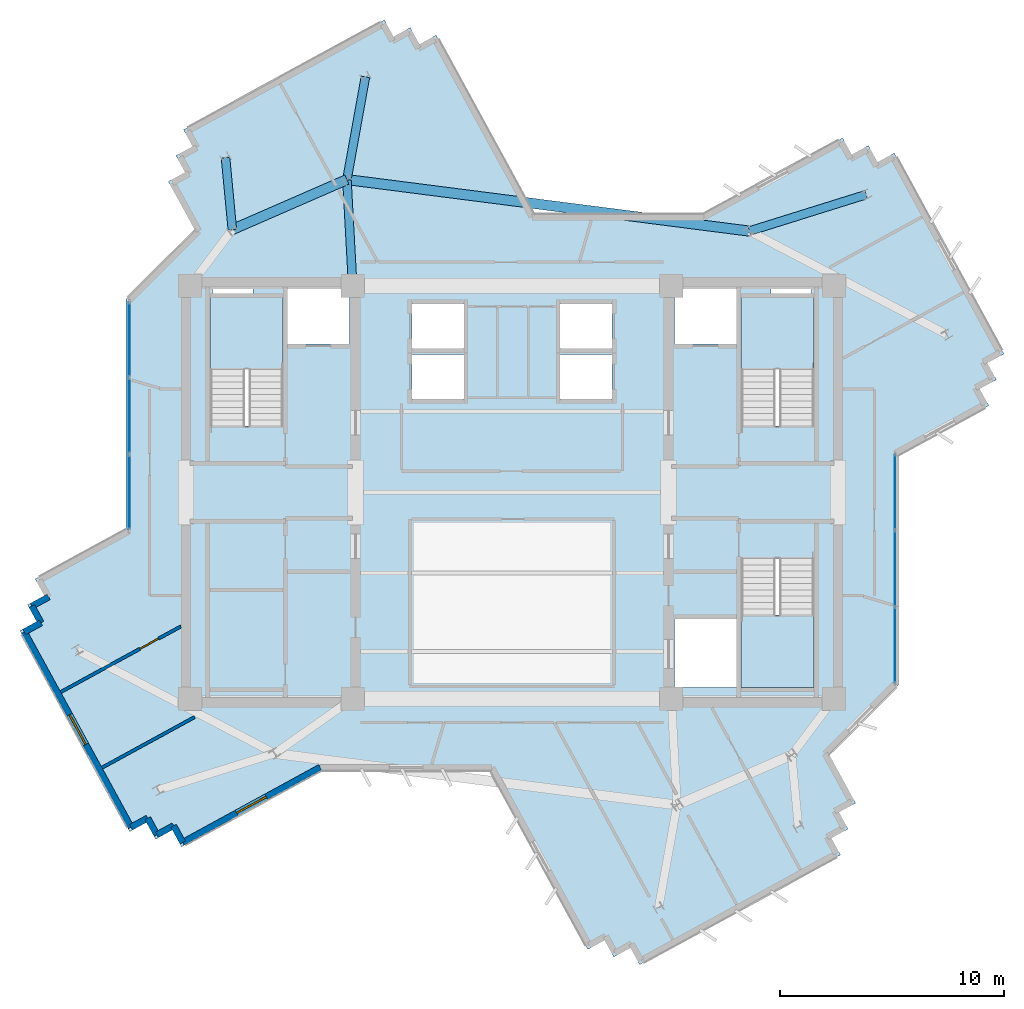
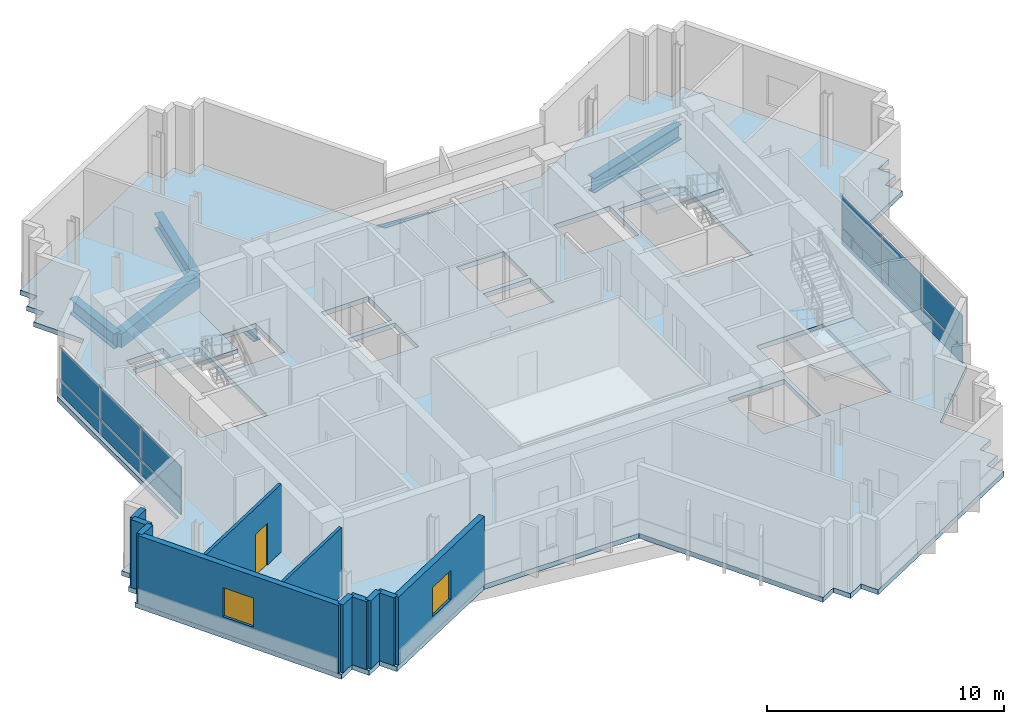
# One storey, part 4 of 13: 12 plates, 11 walls, 6 beams, 4 slabs, 2 windows, 1 door, 3 openings, 5 elements without a shape of their own.
"""IFC4 building model written with IfcOpenShell, lengths in metres."""

from ifc_helpers import new_model, si_unit, direction, frame, frame_2d, origin, origin_2d, place, context, subcontext, project, spatial, polyline, rectangle, i_section, outline, extrude, source, transform, mapped, material, layer, layer_set, material_profile, profile_set, type_object, element, fill, aggregate, save


model = new_model("IFC4")

# Units and contexts
model_context = context("Model", 3, precision=1e-05, world=origin(), true_north=direction((0.0, 1.0)))
body_context = subcontext(model_context, "Body", "Model", "MODEL_VIEW")
ifc_project = project(units=[si_unit("LENGTHUNIT", "METRE"), si_unit("AREAUNIT", "SQUARE_METRE"), si_unit("VOLUMEUNIT", "CUBIC_METRE"), si_unit("PLANEANGLEUNIT", "RADIAN"), si_unit("MASSUNIT", "GRAM", prefix="KILO")], contexts=[model_context])

# Site, building, storey
site_placement = place(None, origin())
site = spatial("IfcSite", under=ifc_project, at=site_placement, CompositionType="ELEMENT")
building_placement = place(site_placement, origin())
building = spatial("IfcBuilding", under=site, at=building_placement, Name="Zahravan Cultural Tower", CompositionType="ELEMENT")
storey_placement = place(building_placement, frame((0.0, 0.0, 250.35009765625)))
storey = spatial("IfcBuildingStorey", under=building, at=storey_placement, Name="L59", CompositionType="ELEMENT", Elevation=250.35009765625)

# Beams
ifc_material_1 = material(Name="Concrete C45/55", Category="concrete")
ifc_material_profile_1 = material_profile(ifc_material_1, rectangle(XDim=0.449951171875, YDim=0.719970703125, at=origin_2d()), Name="RC450X720")
ifc_profile_set_1 = profile_set([ifc_material_profile_1], Name="Concrete C45/55")
beam_type_1 = type_object("IfcBeamType", Name="BM-SP-RC450X720", PredefinedType="SPANDREL", material=ifc_profile_set_1)
shared_shape_1 = source(origin(), body_context, "Body", "SweptSolid", [
    extrude(rectangle(XDim=0.449951171875, YDim=0.719970703125, at=origin_2d()), origin(), (0.0, 0.0, 1.0), 18.081787109375),
])
beam_1_placement = place(storey_placement, frame((46.577880859375, 38.640625, -0.610107421875), z_axis=(-0.991900954377, 0.127013765812, 0.0), x_axis=(-0.127013765812, -0.991900954377, 0.0)))
element("IfcBeam", 1, at=beam_1_placement, inside=storey, type_object=beam_type_1, Name="L59 Beam SP-L59-22", PredefinedType="SPANDREL", context=body_context, shape_type="MappedRepresentation", body=[
    mapped(shared_shape_1, transform((0.0, 0.0, 0.0), x_axis=(1.0, 0.0, 0.0), y_axis=(0.0, 1.0, 0.0), z_axis=(0.0, 0.0, 1.0), scale=1.0)),
])
shared_shape_2 = source(origin(), body_context, "Body", "SweptSolid", [
    extrude(rectangle(XDim=0.449951171875, YDim=0.719970703125, at=origin_2d()), origin(), (0.0, 0.0, 1.0), 5.570556640625),
])
beam_2_placement = place(storey_placement, frame((28.642578125, 40.937255859375, -0.610107421875), z_axis=(-0.9166445026, -0.399703459896, 0.0), x_axis=(0.399703459896, -0.9166445026, 0.0)))
element("IfcBeam", 2, at=beam_2_placement, inside=storey, type_object=beam_type_1, Name="L59 Beam SP-L59-23", PredefinedType="SPANDREL", context=body_context, shape_type="MappedRepresentation", body=[
    mapped(shared_shape_2, transform((0.0, 0.0, 0.0), x_axis=(1.0, 0.0, 0.0), y_axis=(0.0, 1.0, 0.0), z_axis=(0.0, 0.0, 1.0), scale=1.0)),
])
ifc_material_2 = material(Name="Steel ASTM A992 Grade 50", Category="steel")
ifc_material_profile_2 = material_profile(ifc_material_2, i_section(OverallWidth=0.382080078125, OverallDepth=0.779052734375, WebThickness=0.01806640625, FlangeThickness=0.030029296875, FilletRadius=0.01904296875, at=origin_2d()), Name="W30X191")
ifc_profile_set_2 = profile_set([ifc_material_profile_2], Name="Steel ASTM A992 Grade 50")
beam_type_2 = type_object("IfcBeamType", Name="BM-G-W30X191", PredefinedType="BEAM", material=ifc_profile_set_2)
shared_shape_3 = source(origin(), body_context, "Body", "SweptSolid", [
    extrude(i_section(OverallWidth=0.382080078125, OverallDepth=0.779052734375, WebThickness=0.01806640625, FlangeThickness=0.030029296875, FilletRadius=0.01904296875, at=origin_2d()), origin(), (0.0, 0.0, 1.0), 4.744384765625),
])
beam_3_placement = place(storey_placement, frame((28.89990234375, 36.199951171875, -0.6396484375), z_axis=(-0.054238739845, 0.998527996152, 0.0), x_axis=(-0.998527996152, -0.054238739845, 0.0)))
element("IfcBeam", 3, at=beam_3_placement, inside=storey, type_object=beam_type_2, Name="L59 Beam BG-L59-10", PredefinedType="BEAM", context=body_context, shape_type="MappedRepresentation", body=[
    mapped(shared_shape_3, transform((0.0, 0.0, 0.0), x_axis=(1.0, 0.0, 0.0), y_axis=(0.0, 1.0, 0.0), z_axis=(0.0, 0.0, 1.0), scale=1.0)),
])
shared_shape_4 = source(origin(), body_context, "Body", "SweptSolid", [
    extrude(i_section(OverallWidth=0.382080078125, OverallDepth=0.779052734375, WebThickness=0.01806640625, FlangeThickness=0.030029296875, FilletRadius=0.01904296875, at=origin_2d()), origin(), (0.0, 0.0, 1.0), 5.450927734375),
])
beam_4_placement = place(storey_placement, frame((46.577880859375, 38.640625, -0.6396484375), z_axis=(0.954416996605, 0.298476459025, 0.0), x_axis=(-0.298476459025, 0.954416996605, 0.0)))
element("IfcBeam", 4, at=beam_4_placement, inside=storey, type_object=beam_type_2, Name="L59 Beam BG-L59-13", PredefinedType="BEAM", context=body_context, shape_type="MappedRepresentation", body=[
    mapped(shared_shape_4, transform((0.0, 0.0, 0.0), x_axis=(1.0, 0.0, 0.0), y_axis=(0.0, 1.0, 0.0), z_axis=(0.0, 0.0, 1.0), scale=1.0)),
])
shared_shape_5 = source(origin(), body_context, "Body", "SweptSolid", [
    extrude(i_section(OverallWidth=0.382080078125, OverallDepth=0.779052734375, WebThickness=0.01806640625, FlangeThickness=0.030029296875, FilletRadius=0.01904296875, at=origin_2d()), origin(), (0.0, 0.0, 1.0), 4.65087890625),
])
beam_5_placement = place(storey_placement, frame((28.642578125, 40.937255859375, -0.6396484375), z_axis=(0.177425522697, 0.984134230629, 0.0), x_axis=(-0.984134230629, 0.177425522697, 0.0)))
element("IfcBeam", 5, at=beam_5_placement, inside=storey, type_object=beam_type_2, Name="L59 Beam BG-L59-14", PredefinedType="BEAM", context=body_context, shape_type="MappedRepresentation", body=[
    mapped(shared_shape_5, transform((0.0, 0.0, 0.0), x_axis=(1.0, 0.0, 0.0), y_axis=(0.0, 1.0, 0.0), z_axis=(0.0, 0.0, 1.0), scale=1.0)),
])
shared_shape_6 = source(origin(), body_context, "Body", "SweptSolid", [
    extrude(i_section(OverallWidth=0.382080078125, OverallDepth=0.779052734375, WebThickness=0.01806640625, FlangeThickness=0.030029296875, FilletRadius=0.01904296875, at=origin_2d()), origin(), (0.0, 0.0, 1.0), 3.218017578125),
])
beam_6_placement = place(storey_placement, frame((23.536376953125, 38.710693359375, -0.6396484375), z_axis=(-0.094454641962, 0.995529166128, 0.0), x_axis=(-0.995529166128, -0.094454641962, 0.0)))
element("IfcBeam", 6, at=beam_6_placement, inside=storey, type_object=beam_type_2, Name="L59 Beam BG-L59-15", PredefinedType="BEAM", context=body_context, shape_type="MappedRepresentation", body=[
    mapped(shared_shape_6, transform((0.0, 0.0, 0.0), x_axis=(1.0, 0.0, 0.0), y_axis=(0.0, 1.0, 0.0), z_axis=(0.0, 0.0, 1.0), scale=1.0)),
])

# Stair, slab
stair_type = type_object("IfcStairType", Name="STR-DL-1550-375", PredefinedType="HALF_TURN_STAIR", material=ifc_material_1)
stair_1_placement = place(storey_placement, origin())
stair_1 = element("IfcStair", 7, at=stair_1_placement, inside=storey, type_object=stair_type, Name="L59 West Core North Exit Stair ST-W1", PredefinedType="HALF_TURN_STAIR")
ifc_layer_1 = layer(ifc_material_1, 0.199951171875)
ifc_layer_set_1 = layer_set([ifc_layer_1], Name="Concrete C45/55")
slab_type_1 = type_object("IfcSlabType", Name="SL-STAIR-LND200", PredefinedType="LANDING", material=ifc_layer_set_1)
slab_1_placement = place(storey_placement, frame((0.0, 0.0, 1.6748046875)))
slab_1 = element("IfcSlab", 8, at=slab_1_placement, type_object=slab_type_1, Name="ST-W1 landing 1", PredefinedType="LANDING", context=body_context, shape_type="SweptSolid", body=[
    extrude(outline(polyline([(25.800048828125, 32.469970703125), (25.800048828125, 35.699951171875), (22.550048828125, 35.699951171875), (22.550048828125, 32.469970703125), (25.800048828125, 32.469970703125)])), origin(), (0.0, 0.0, 1.0), 0.2001953125),
])
aggregate(stair_1, [slab_1])

stair_2_placement = place(storey_placement, origin())
stair_2 = element("IfcStair", 9, at=stair_2_placement, inside=storey, type_object=stair_type, Name="L59 East Core North Exit Stair ST-E1", PredefinedType="HALF_TURN_STAIR")
slab_2_placement = place(storey_placement, frame((0.0, 0.0, 1.6748046875)))
slab_2 = element("IfcSlab", 10, at=slab_2_placement, type_object=slab_type_1, Name="ST-E1 landing 1", PredefinedType="LANDING", context=body_context, shape_type="SweptSolid", body=[
    extrude(outline(polyline([(49.449951171875, 32.469970703125), (49.449951171875, 35.699951171875), (46.199951171875, 35.699951171875), (46.199951171875, 32.469970703125), (49.449951171875, 32.469970703125)])), origin(), (0.0, 0.0, 1.0), 0.2001953125),
])
aggregate(stair_2, [slab_2])

stair_3_placement = place(storey_placement, origin())
stair_3 = element("IfcStair", 11, at=stair_3_placement, inside=storey, type_object=stair_type, Name="L59 East Core South Exit Stair ST-E2", PredefinedType="HALF_TURN_STAIR")
slab_3_placement = place(storey_placement, frame((0.0, 0.0, 1.6748046875)))
slab_3 = element("IfcSlab", 12, at=slab_3_placement, type_object=slab_type_1, Name="ST-E2 landing 1", PredefinedType="LANDING", context=body_context, shape_type="SweptSolid", body=[
    extrude(outline(polyline([(46.199951171875, 21.530029296875), (46.199951171875, 18.300048828125), (49.449951171875, 18.300048828125), (49.449951171875, 21.530029296875), (46.199951171875, 21.530029296875)])), origin(), (0.0, 0.0, 1.0), 0.2001953125),
])
aggregate(stair_3, [slab_3])

# Slab
ifc_material_3 = material(Name="Concrete C40/50", Category="concrete")
ifc_layer_2 = layer(ifc_material_3, 0.25)
ifc_layer_set_2 = layer_set([ifc_layer_2], Name="Concrete C40/50")
slab_type_2 = type_object("IfcSlabType", Name="SL-TYP-250", PredefinedType="FLOOR", material=ifc_layer_set_2)
slab_4_placement = place(storey_placement, frame((0.0, 0.0, -0.25)))
element("IfcSlab", 13, at=slab_4_placement, inside=storey, type_object=slab_type_2, Name="L59 Structural Floor Slab", PredefinedType="FLOOR", context=body_context, shape_type="SweptSolid", body=[
    extrude(outline(polyline([(44.513427734375, 39.39990234375), (36.97412109375, 39.39990234375), (32.617919921875, 47.372802734375), (31.8720703125, 46.96533203125), (31.464599609375, 47.711181640625), (30.718505859375, 47.3037109375), (30.31103515625, 48.049560546875), (21.35986328125, 43.1591796875), (21.767578125, 42.4130859375), (21.021484375, 42.005615234375), (21.42919921875, 41.259765625), (20.68310546875, 40.852294921875), (21.87353515625, 38.673583984375), (18.800048828125, 35.60009765625), (18.800048828125, 25.3515625), (14.74951171875, 23.138671875), (15.156982421875, 22.392578125), (14.4111328125, 21.985107421875), (14.81884765625, 21.2392578125), (14.07275390625, 20.83154296875), (18.96337890625, 11.880615234375), (19.709228515625, 12.2880859375), (20.11669921875, 11.5419921875), (20.86279296875, 11.94970703125), (21.270263671875, 11.20361328125), (27.486572265625, 14.60009765625), (35.02587890625, 14.60009765625), (39.382080078125, 6.627197265625), (40.1279296875, 7.03466796875), (40.535400390625, 6.288818359375), (41.281494140625, 6.6962890625), (41.68896484375, 5.950439453125), (50.64013671875, 10.8408203125), (50.232421875, 11.5869140625), (50.978515625, 11.994384765625), (50.57080078125, 12.740234375), (51.31689453125, 13.147705078125), (50.12646484375, 15.326416015625), (53.199951171875, 18.39990234375), (53.199951171875, 28.6484375), (57.25048828125, 30.861328125), (56.843017578125, 31.607421875), (57.5888671875, 32.014892578125), (57.18115234375, 32.7607421875), (57.92724609375, 33.16845703125), (53.03662109375, 42.119384765625), (52.290771484375, 41.7119140625), (51.88330078125, 42.4580078125), (51.13720703125, 42.05029296875), (50.729736328125, 42.79638671875), (44.513427734375, 39.39990234375)]), holes=[polyline([(22.550048828125, 29.949951171875), (22.550048828125, 35.699951171875), (25.800048828125, 35.699951171875), (25.800048828125, 29.949951171875), (22.550048828125, 29.949951171875)]), polyline([(46.199951171875, 29.949951171875), (46.199951171875, 35.699951171875), (49.449951171875, 35.699951171875), (49.449951171875, 29.949951171875), (46.199951171875, 29.949951171875)]), polyline([(46.199951171875, 18.300048828125), (46.199951171875, 24.050048828125), (49.449951171875, 24.050048828125), (49.449951171875, 18.300048828125), (46.199951171875, 18.300048828125)]), polyline([(26.0, 33.60009765625), (26.0, 36.050048828125), (28.75, 36.050048828125), (28.75, 33.60009765625), (26.0, 33.60009765625)]), polyline([(43.25, 33.60009765625), (43.25, 36.050048828125), (46.0, 36.050048828125), (46.0, 33.60009765625), (43.25, 33.60009765625)]), polyline([(43.25, 18.300048828125), (43.25, 21.35009765625), (46.0, 21.35009765625), (46.0, 18.300048828125), (43.25, 18.300048828125)]), polyline([(31.550048828125, 33.39990234375), (31.550048828125, 35.39990234375), (33.85009765625, 35.39990234375), (33.85009765625, 33.39990234375), (31.550048828125, 33.39990234375)]), polyline([(31.550048828125, 31.14990234375), (31.550048828125, 33.14990234375), (33.85009765625, 33.14990234375), (33.85009765625, 31.14990234375), (31.550048828125, 31.14990234375)]), polyline([(38.14990234375, 33.39990234375), (38.14990234375, 35.39990234375), (40.449951171875, 35.39990234375), (40.449951171875, 33.39990234375), (38.14990234375, 33.39990234375)]), polyline([(38.14990234375, 31.14990234375), (38.14990234375, 33.14990234375), (40.449951171875, 33.14990234375), (40.449951171875, 31.14990234375), (38.14990234375, 31.14990234375)]), polyline([(22.64990234375, 35.800048828125), (22.64990234375, 36.419921875), (24.449951171875, 36.419921875), (24.449951171875, 35.800048828125), (22.64990234375, 35.800048828125)]), polyline([(47.550048828125, 35.800048828125), (47.550048828125, 36.419921875), (49.35009765625, 36.419921875), (49.35009765625, 35.800048828125), (47.550048828125, 35.800048828125)])]), origin(), (0.0, 0.0, 1.0), 0.25),
])

# Curtain wall, plates
ifc_material_4 = material(Name="Anodised bronze-aluminium mullion", Category="aluminium")
ifc_layer_3 = layer(ifc_material_4, 0.1650390625)
ifc_layer_set_3 = layer_set([ifc_layer_3], Name="Anodised bronze-aluminium mullion")
curtain_wall_type_1 = type_object("IfcCurtainWallType", Name="CW-SYS-4", PredefinedType="USERDEFINED", material=ifc_layer_set_3)
curtain_wall_1_placement = place(storey_placement, origin())
curtain_wall_1 = element("IfcCurtainWall", 14, at=curtain_wall_1_placement, inside=storey, type_object=curtain_wall_type_1, Name="L59 Recessed Curtain Wall CW-4.1", ObjectType="RECESSED GLAZING", PredefinedType="USERDEFINED")
ifc_material_5 = material(Name="Low-E solar-control double glazing", Category="glass")
ifc_layer_4 = layer(ifc_material_5, 0.02587890625)
ifc_layer_set_4 = layer_set([ifc_layer_4], Name="Low-E solar-control double glazing")
plate_type_1 = type_object("IfcPlateType", Name="CWP-CW-4", PredefinedType="CURTAIN_PANEL", material=ifc_layer_set_4)
shared_shape_7 = source(origin(), body_context, "Body", "SweptSolid", [
    extrude(rectangle(XDim=3.326904296875, YDim=0.02587890625, at=origin_2d()), origin(), (0.0, 0.0, 1.0), 0.802490234375),
])
plate_1_placement = place(storey_placement, frame((53.06005859375, 27.0029296875, 0.06494140625), z_axis=(0.0, 0.0, 1.0), x_axis=(0.0, -1.0, 0.0)))
plate_1 = element("IfcPlate", 15, at=plate_1_placement, type_object=plate_type_1, Name="CW-4 panel 1.1", PredefinedType="CURTAIN_PANEL", context=body_context, shape_type="MappedRepresentation", body=[
    mapped(shared_shape_7, transform((0.0, 0.0, 0.0), x_axis=(1.0, 0.0, 0.0), y_axis=(0.0, 1.0, 0.0), z_axis=(0.0, 0.0, 1.0), scale=1.0)),
])
plate_2_placement = place(storey_placement, frame((53.06005859375, 20.1865234375, 0.06494140625), z_axis=(0.0, 0.0, 1.0), x_axis=(0.0, -1.0, 0.0)))
plate_2 = element("IfcPlate", 16, at=plate_2_placement, type_object=plate_type_1, Name="CW-4 panel 3.1", PredefinedType="CURTAIN_PANEL", context=body_context, shape_type="MappedRepresentation", body=[
    mapped(shared_shape_7, transform((0.0, 0.0, 0.0), x_axis=(1.0, 0.0, 0.0), y_axis=(0.0, 1.0, 0.0), z_axis=(0.0, 0.0, 1.0), scale=1.0)),
])
shared_shape_8 = source(origin(), body_context, "Body", "SweptSolid", [
    extrude(rectangle(XDim=3.326904296875, YDim=0.02587890625, at=origin_2d()), origin(), (0.0, 0.0, 1.0), 1.62255859375),
])
plate_3_placement = place(storey_placement, frame((53.06005859375, 27.0029296875, 0.932373046875), z_axis=(0.0, 0.0, 1.0), x_axis=(0.0, -1.0, 0.0)))
plate_3 = element("IfcPlate", 17, at=plate_3_placement, type_object=plate_type_1, Name="CW-4 panel 1.2", PredefinedType="CURTAIN_PANEL", context=body_context, shape_type="MappedRepresentation", body=[
    mapped(shared_shape_8, transform((0.0, 0.0, 0.0), x_axis=(1.0, 0.0, 0.0), y_axis=(0.0, 1.0, 0.0), z_axis=(0.0, 0.0, 1.0), scale=1.0)),
])
plate_4_placement = place(storey_placement, frame((53.06005859375, 20.1865234375, 0.932373046875), z_axis=(0.0, 0.0, 1.0), x_axis=(0.0, -1.0, 0.0)))
plate_4 = element("IfcPlate", 18, at=plate_4_placement, type_object=plate_type_1, Name="CW-4 panel 3.2", PredefinedType="CURTAIN_PANEL", context=body_context, shape_type="MappedRepresentation", body=[
    mapped(shared_shape_8, transform((0.0, 0.0, 0.0), x_axis=(1.0, 0.0, 0.0), y_axis=(0.0, 1.0, 0.0), z_axis=(0.0, 0.0, 1.0), scale=1.0)),
])
shared_shape_9 = source(origin(), body_context, "Body", "SweptSolid", [
    extrude(rectangle(XDim=3.359619140625, YDim=0.02587890625, at=origin_2d()), origin(), (0.0, 0.0, 1.0), 0.802490234375),
])
plate_5_placement = place(storey_placement, frame((53.06005859375, 23.5947265625, 0.06494140625), z_axis=(0.0, 0.0, 1.0), x_axis=(0.0, -1.0, 0.0)))
plate_5 = element("IfcPlate", 19, at=plate_5_placement, type_object=plate_type_1, Name="CW-4 panel 2.1", PredefinedType="CURTAIN_PANEL", context=body_context, shape_type="MappedRepresentation", body=[
    mapped(shared_shape_9, transform((0.0, 0.0, 0.0), x_axis=(1.0, 0.0, 0.0), y_axis=(0.0, 1.0, 0.0), z_axis=(0.0, 0.0, 1.0), scale=1.0)),
])
shared_shape_10 = source(origin(), body_context, "Body", "SweptSolid", [
    extrude(rectangle(XDim=3.359619140625, YDim=0.02587890625, at=origin_2d()), origin(), (0.0, 0.0, 1.0), 1.62255859375),
])
plate_6_placement = place(storey_placement, frame((53.06005859375, 23.5947265625, 0.932373046875), z_axis=(0.0, 0.0, 1.0), x_axis=(0.0, -1.0, 0.0)))
plate_6 = element("IfcPlate", 20, at=plate_6_placement, type_object=plate_type_1, Name="CW-4 panel 2.2", PredefinedType="CURTAIN_PANEL", context=body_context, shape_type="MappedRepresentation", body=[
    mapped(shared_shape_10, transform((0.0, 0.0, 0.0), x_axis=(1.0, 0.0, 0.0), y_axis=(0.0, 1.0, 0.0), z_axis=(0.0, 0.0, 1.0), scale=1.0)),
])
aggregate(curtain_wall_1, [plate_1, plate_3, plate_5, plate_6, plate_2, plate_4])

ifc_layer_5 = layer(ifc_material_4, 0.219970703125)
ifc_layer_set_5 = layer_set([ifc_layer_5], Name="Anodised bronze-aluminium mullion")
curtain_wall_type_2 = type_object("IfcCurtainWallType", Name="CW-SYS-1", PredefinedType="USERDEFINED", material=ifc_layer_set_5)
curtain_wall_2_placement = place(storey_placement, origin())
curtain_wall_2 = element("IfcCurtainWall", 21, at=curtain_wall_2_placement, inside=storey, type_object=curtain_wall_type_2, Name="L59 Recessed Curtain Wall CW-1.2", ObjectType="RECESSED GLAZING", PredefinedType="USERDEFINED")
ifc_layer_6 = layer(ifc_material_5, 0.031982421875)
ifc_layer_set_6 = layer_set([ifc_layer_6], Name="Low-E solar-control double glazing")
plate_type_2 = type_object("IfcPlateType", Name="CWP-CW-1", PredefinedType="CURTAIN_PANEL", material=ifc_layer_set_6)
shared_shape_11 = source(origin(), body_context, "Body", "SweptSolid", [
    extrude(rectangle(XDim=3.304443359375, YDim=0.031982421875, at=origin_2d()), origin(), (0.0, 0.0, 1.0), 0.780029296875),
])
plate_7_placement = place(storey_placement, frame((18.93994140625, 27.000732421875, 0.080078125), z_axis=(0.0, 0.0, 1.0), x_axis=(0.0, 1.0, 0.0)))
plate_7 = element("IfcPlate", 22, at=plate_7_placement, type_object=plate_type_2, Name="CW-1 panel 1.1", PredefinedType="CURTAIN_PANEL", context=body_context, shape_type="MappedRepresentation", body=[
    mapped(shared_shape_11, transform((0.0, 0.0, 0.0), x_axis=(1.0, 0.0, 0.0), y_axis=(0.0, 1.0, 0.0), z_axis=(0.0, 0.0, 1.0), scale=1.0)),
])
plate_8_placement = place(storey_placement, frame((18.93994140625, 33.809814453125, 0.080078125), z_axis=(0.0, 0.0, 1.0), x_axis=(0.0, 1.0, 0.0)))
plate_8 = element("IfcPlate", 23, at=plate_8_placement, type_object=plate_type_2, Name="CW-1 panel 3.1", PredefinedType="CURTAIN_PANEL", context=body_context, shape_type="MappedRepresentation", body=[
    mapped(shared_shape_11, transform((0.0, 0.0, 0.0), x_axis=(1.0, 0.0, 0.0), y_axis=(0.0, 1.0, 0.0), z_axis=(0.0, 0.0, 1.0), scale=1.0)),
])
shared_shape_12 = source(origin(), body_context, "Body", "SweptSolid", [
    extrude(rectangle(XDim=3.304443359375, YDim=0.031982421875, at=origin_2d()), origin(), (0.0, 0.0, 1.0), 1.60009765625),
])
plate_9_placement = place(storey_placement, frame((18.93994140625, 27.000732421875, 0.93994140625), z_axis=(0.0, 0.0, 1.0), x_axis=(0.0, 1.0, 0.0)))
plate_9 = element("IfcPlate", 24, at=plate_9_placement, type_object=plate_type_2, Name="CW-1 panel 1.2", PredefinedType="CURTAIN_PANEL", context=body_context, shape_type="MappedRepresentation", body=[
    mapped(shared_shape_12, transform((0.0, 0.0, 0.0), x_axis=(1.0, 0.0, 0.0), y_axis=(0.0, 1.0, 0.0), z_axis=(0.0, 0.0, 1.0), scale=1.0)),
])
plate_10_placement = place(storey_placement, frame((18.93994140625, 33.809814453125, 0.93994140625), z_axis=(0.0, 0.0, 1.0), x_axis=(0.0, 1.0, 0.0)))
plate_10 = element("IfcPlate", 25, at=plate_10_placement, type_object=plate_type_2, Name="CW-1 panel 3.2", PredefinedType="CURTAIN_PANEL", context=body_context, shape_type="MappedRepresentation", body=[
    mapped(shared_shape_12, transform((0.0, 0.0, 0.0), x_axis=(1.0, 0.0, 0.0), y_axis=(0.0, 1.0, 0.0), z_axis=(0.0, 0.0, 1.0), scale=1.0)),
])
shared_shape_13 = source(origin(), body_context, "Body", "SweptSolid", [
    extrude(rectangle(XDim=3.344482421875, YDim=0.031982421875, at=origin_2d()), origin(), (0.0, 0.0, 1.0), 0.780029296875),
])
plate_11_placement = place(storey_placement, frame((18.93994140625, 30.4052734375, 0.080078125), z_axis=(0.0, 0.0, 1.0), x_axis=(0.0, 1.0, 0.0)))
plate_11 = element("IfcPlate", 26, at=plate_11_placement, type_object=plate_type_2, Name="CW-1 panel 2.1", PredefinedType="CURTAIN_PANEL", context=body_context, shape_type="MappedRepresentation", body=[
    mapped(shared_shape_13, transform((0.0, 0.0, 0.0), x_axis=(1.0, 0.0, 0.0), y_axis=(0.0, 1.0, 0.0), z_axis=(0.0, 0.0, 1.0), scale=1.0)),
])
shared_shape_14 = source(origin(), body_context, "Body", "SweptSolid", [
    extrude(rectangle(XDim=3.344482421875, YDim=0.031982421875, at=origin_2d()), origin(), (0.0, 0.0, 1.0), 1.60009765625),
])
plate_12_placement = place(storey_placement, frame((18.93994140625, 30.4052734375, 0.93994140625), z_axis=(0.0, 0.0, 1.0), x_axis=(0.0, 1.0, 0.0)))
plate_12 = element("IfcPlate", 27, at=plate_12_placement, type_object=plate_type_2, Name="CW-1 panel 2.2", PredefinedType="CURTAIN_PANEL", context=body_context, shape_type="MappedRepresentation", body=[
    mapped(shared_shape_14, transform((0.0, 0.0, 0.0), x_axis=(1.0, 0.0, 0.0), y_axis=(0.0, 1.0, 0.0), z_axis=(0.0, 0.0, 1.0), scale=1.0)),
])
aggregate(curtain_wall_2, [plate_7, plate_9, plate_11, plate_12, plate_8, plate_10])

# Wall, opening, window
ifc_material_6 = material(Name="Precast concrete C40/50", Category="concrete")
ifc_layer_7 = layer(ifc_material_6, 0.280029296875)
ifc_layer_set_7 = layer_set([ifc_layer_7], Name="Precast concrete C40/50")
wall_type_1 = type_object("IfcWallType", Name="EW-TC-280", PredefinedType="SOLIDWALL", material=ifc_layer_set_7)
wall_1_placement = place(storey_placement, frame((27.45068359375, 14.739990234375, 0.0), z_axis=(0.0, 0.0, 1.0), x_axis=(-0.877569176667, -0.479450039279, 0.0)))
wall_1 = element("IfcWall", 28, at=wall_1_placement, inside=storey, type_object=wall_type_1, Name="L59 Exterior Masonry Frame Wall 25", PredefinedType="SOLIDWALL", context=body_context, shape_type="SweptSolid", body=[
    extrude(rectangle(XDim=6.979248046875, YDim=0.280029296875, at=frame_2d((3.48974609375, 0.0))), origin(), (0.0, 0.0, 1.0), 3.5),
])
opening_1_placement = place(wall_1_placement, frame((2.739990234375, 0.0, 0.85009765625)))
opening_1 = element("IfcOpeningElement", 29, at=opening_1_placement, cuts=wall_1, Name="Opening WN-03", PredefinedType="OPENING", context=body_context, shape_type="SweptSolid", body=[
    extrude(rectangle(XDim=1.5, YDim=1.5, at=frame_2d((0.75, 0.75))), frame((0.0, 0.14990234375, 0.0), z_axis=(0.0, -1.0, 0.0), x_axis=(1.0, 0.0, 0.0)), (0.0, 0.0, 1.0), 0.300048828125),
])
window_type = type_object("IfcWindowType", Name="WN-REC-1500X1500", PartitioningType="SINGLE_PANEL", PredefinedType="WINDOW", material=ifc_material_5)
shared_shape_15 = source(origin(), body_context, "Body", "SweptSolid", [
    extrude(rectangle(XDim=1.5, YDim=1.5, at=frame_2d((0.75, 0.75))), frame((0.0, 0.030029296875, 0.0), z_axis=(0.0, -1.0, 0.0), x_axis=(1.0, 0.0, 0.0)), (0.0, 0.0, 1.0), 0.06005859375),
])
window_1_placement = place(opening_1_placement, origin())
window_1 = element("IfcWindow", 30, at=window_1_placement, inside=storey, type_object=window_type, Name="L59 Recessed Solar Window 07", OverallHeight=1.5, OverallWidth=1.5, PartitioningType="SINGLE_PANEL", PredefinedType="WINDOW", context=body_context, shape_type="MappedRepresentation", body=[
    mapped(shared_shape_15, transform((0.0, 0.0, 0.0), x_axis=(1.0, 0.0, 0.0), y_axis=(0.0, 1.0, 0.0), z_axis=(0.0, 0.0, 1.0), scale=1.0)),
])
fill(opening_1, window_1)

wall_2_placement = place(storey_placement, frame((19.01904296875, 12.070556640625, 0.0), z_axis=(0.0, 0.0, 1.0), x_axis=(-0.479472774144, 0.877556755347, 0.0)))
wall_2 = element("IfcWall", 31, at=wall_2_placement, inside=storey, type_object=wall_type_1, Name="L59 Exterior Masonry Frame Wall 30", PredefinedType="SOLIDWALL", context=body_context, shape_type="SweptSolid", body=[
    extrude(rectangle(XDim=9.919921875, YDim=0.280029296875, at=frame_2d((4.9599609375, 0.0))), origin(), (0.0, 0.0, 1.0), 3.5),
])
opening_2_placement = place(wall_2_placement, frame((4.2099609375, 0.0, 0.85009765625)))
opening_2 = element("IfcOpeningElement", 32, at=opening_2_placement, cuts=wall_2, Name="Opening WN-03", PredefinedType="OPENING", context=body_context, shape_type="SweptSolid", body=[
    extrude(rectangle(XDim=1.5, YDim=1.5, at=frame_2d((0.75, 0.75))), frame((0.0, 0.14990234375, 0.0), z_axis=(0.0, -1.0, 0.0), x_axis=(1.0, 0.0, 0.0)), (0.0, 0.0, 1.0), 0.300048828125),
])
window_2_placement = place(opening_2_placement, origin())
window_2 = element("IfcWindow", 33, at=window_2_placement, inside=storey, type_object=window_type, Name="L59 Recessed Solar Window 08", OverallHeight=1.5, OverallWidth=1.5, PartitioningType="SINGLE_PANEL", PredefinedType="WINDOW", context=body_context, shape_type="MappedRepresentation", body=[
    mapped(shared_shape_15, transform((0.0, 0.0, 0.0), x_axis=(1.0, 0.0, 0.0), y_axis=(0.0, 1.0, 0.0), z_axis=(0.0, 0.0, 1.0), scale=1.0)),
])
fill(opening_2, window_2)

# Wall, opening, door
ifc_material_7 = material(Name="Gypsum plasterboard partition")
ifc_layer_8 = layer(ifc_material_7, 0.139892578125)
ifc_layer_set_8 = layer_set([ifc_layer_8], Name="Gypsum plasterboard partition")
wall_type_2 = type_object("IfcWallType", Name="W-PART-140", PredefinedType="PARTITIONING", material=ifc_layer_set_8)
wall_3_placement = place(storey_placement, frame((15.890625, 18.0986328125, 0.0), z_axis=(0.0, 0.0, 1.0), x_axis=(0.877574248726, 0.479440755436, 0.0)))
wall_3 = element("IfcWall", 34, at=wall_3_placement, inside=storey, type_object=wall_type_2, Name="L59 Interior Wall 052", PredefinedType="PARTITIONING", context=body_context, shape_type="SweptSolid", body=[
    extrude(rectangle(XDim=6.1015625, YDim=0.139892578125, at=frame_2d((3.05078125, 0.0))), origin(), (0.0, 0.0, 1.0), 3.5),
])
opening_3_placement = place(wall_3_placement, frame((4.01806640625, 0.0, 0.0)))
opening_3 = element("IfcOpeningElement", 35, at=opening_3_placement, cuts=wall_3, Name="Opening D-L59-26", PredefinedType="OPENING", context=body_context, shape_type="SweptSolid", body=[
    extrude(rectangle(XDim=0.949951171875, YDim=2.14990234375, at=frame_2d((0.47509765625, 1.074951171875))), frame((0.0, 0.079833984375, 0.0), z_axis=(0.0, -1.0, 0.0), x_axis=(1.0, 0.0, 0.0)), (0.0, 0.0, 1.0), 0.159912109375),
])
door_type = type_object("IfcDoorType", Name="DR-ROOM-950", OperationType="NOTDEFINED", PredefinedType="DOOR", material=ifc_material_4)
shared_shape_16 = source(origin(), body_context, "Body", "SweptSolid", [
    extrude(rectangle(XDim=0.949951171875, YDim=2.14990234375, at=frame_2d((0.47509765625, 1.074951171875))), frame((0.0, 0.02490234375, 0.0), z_axis=(0.0, -1.0, 0.0), x_axis=(1.0, 0.0, 0.0)), (0.0, 0.0, 1.0), 0.050048828125),
])
door_placement = place(opening_3_placement, origin())
door = element("IfcDoor", 36, at=door_placement, inside=storey, type_object=door_type, Name="L59 Door D-L59-26", OperationType="SINGLE_SWING_RIGHT", OverallHeight=2.14990234375, OverallWidth=0.949951171875, PredefinedType="DOOR", context=body_context, shape_type="MappedRepresentation", body=[
    mapped(shared_shape_16, transform((0.0, 0.0, 0.0), x_axis=(1.0, 0.0, 0.0), y_axis=(0.0, 1.0, 0.0), z_axis=(0.0, 0.0, 1.0), scale=1.0)),
])
fill(opening_3, door)

# Walls
shared_shape_17 = source(origin(), body_context, "Body", "SweptSolid", [
    extrude(rectangle(XDim=0.85009765625, YDim=0.280029296875, at=frame_2d((0.425048828125, 0.0))), origin(), (0.0, 0.0, 1.0), 3.5),
])
wall_4_placement = place(storey_placement, frame((20.172607421875, 11.732177734375, 0.0), z_axis=(0.0, 0.0, 1.0), x_axis=(-0.479656876283, 0.877456141943, 0.0)))
element("IfcWall", 37, at=wall_4_placement, inside=storey, type_object=wall_type_1, Name="L59 Exterior Masonry Frame Wall 28", PredefinedType="SOLIDWALL", context=body_context, shape_type="MappedRepresentation", body=[
    mapped(shared_shape_17, transform((0.0, 0.0, 0.0), x_axis=(1.0, 0.0, 0.0), y_axis=(0.0, 1.0, 0.0), z_axis=(0.0, 0.0, 1.0), scale=1.0)),
])
shared_shape_18 = source(origin(), body_context, "Body", "SweptSolid", [
    extrude(rectangle(XDim=0.849853515625, YDim=0.280029296875, at=frame_2d((0.4248046875, 0.0))), origin(), (0.0, 0.0, 1.0), 3.5),
])
for number, where, z_axis, x_axis, name in (
    (38, (21.325927734375, 11.393798828125, 0.0), (0.0, 0.0, 1.0), (-0.479435691737, 0.877577015132, 0.0), "L59 Exterior Masonry Frame Wall 26"),
    (39, (20.91845703125, 12.1396484375, 0.0), (0.0, 0.0, 1.0), (-0.877577015132, -0.479435691737, 0.0), "L59 Exterior Masonry Frame Wall 27"),
    (40, (19.764892578125, 12.47802734375, 0.0), (0.0, 0.0, 1.0), (-0.877577015132, -0.479435691737, 0.0), "L59 Exterior Masonry Frame Wall 29"),
    (41, (15.0087890625, 21.18359375, 0.0), (0.0, 0.0, 1.0), (-0.479435691737, 0.877577015132, 0.0), "L59 Exterior Masonry Frame Wall 32"),
    (42, (14.601318359375, 21.929443359375, 0.0), (0.0, 0.0, 1.0), (0.877577015132, 0.479435691737, 0.0), "L59 Exterior Masonry Frame Wall 33"),
):
    element("IfcWall", number, at=place(storey_placement, frame(where, z_axis=z_axis, x_axis=x_axis)), inside=storey, type_object=wall_type_1, Name=name, PredefinedType="SOLIDWALL", context=body_context, shape_type="MappedRepresentation", body=[
        mapped(shared_shape_18, transform((0.0, 0.0, 0.0), x_axis=(1.0, 0.0, 0.0), y_axis=(0.0, 1.0, 0.0), z_axis=(0.0, 0.0, 1.0), scale=1.0)),
    ])
shared_shape_19 = source(origin(), body_context, "Body", "SweptSolid", [
    extrude(rectangle(XDim=0.850341796875, YDim=0.280029296875, at=frame_2d((0.42529296875, 0.0))), origin(), (0.0, 0.0, 1.0), 3.5),
])
wall_5_placement = place(storey_placement, frame((14.2626953125, 20.77587890625, 0.0), z_axis=(0.0, 0.0, 1.0), x_axis=(0.87752219781, 0.479536017782, 0.0)))
element("IfcWall", 43, at=wall_5_placement, inside=storey, type_object=wall_type_1, Name="L59 Exterior Masonry Frame Wall 31", PredefinedType="SOLIDWALL", context=body_context, shape_type="MappedRepresentation", body=[
    mapped(shared_shape_19, transform((0.0, 0.0, 0.0), x_axis=(1.0, 0.0, 0.0), y_axis=(0.0, 1.0, 0.0), z_axis=(0.0, 0.0, 1.0), scale=1.0)),
])
shared_shape_20 = source(origin(), body_context, "Body", "SweptSolid", [
    extrude(rectangle(XDim=4.6953125, YDim=0.139892578125, at=frame_2d((2.34765625, 0.0))), origin(), (0.0, 0.0, 1.0), 3.5),
])
wall_6_placement = place(storey_placement, frame((21.852294921875, 16.97998046875, 0.0), z_axis=(0.0, 0.0, 1.0), x_axis=(-0.877559526902, -0.479467701461, 0.0)))
element("IfcWall", 44, at=wall_6_placement, inside=storey, type_object=wall_type_2, Name="L59 Interior Wall 051", PredefinedType="PARTITIONING", context=body_context, shape_type="MappedRepresentation", body=[
    mapped(shared_shape_20, transform((0.0, 0.0, 0.0), x_axis=(1.0, 0.0, 0.0), y_axis=(0.0, 1.0, 0.0), z_axis=(0.0, 0.0, 1.0), scale=1.0)),
])

save(model, "model.ifc")
